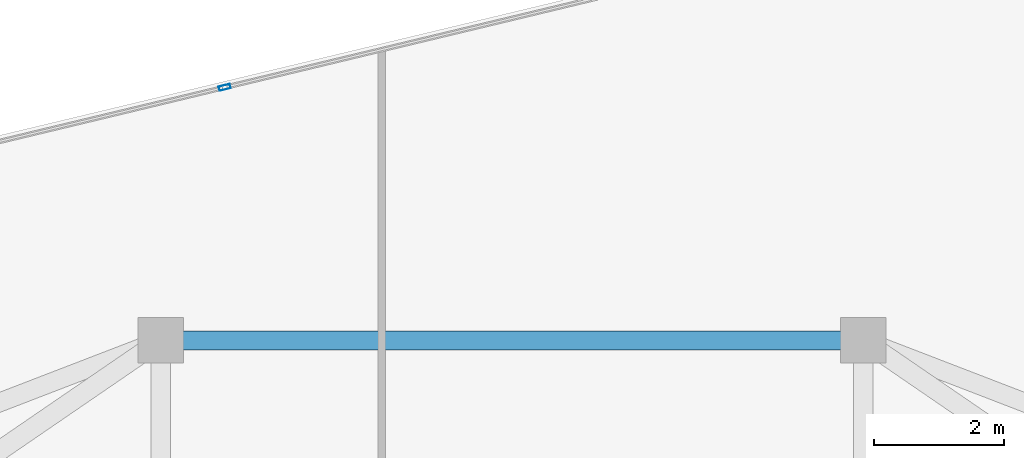
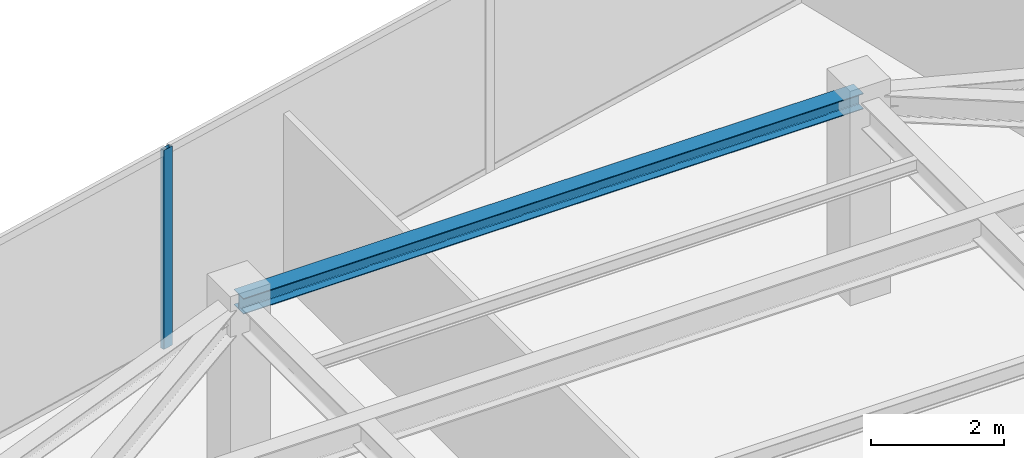
# One storey, part 14 of 22: 1 beam, 1 member, 1 element without a shape of its own.
"""IFC4 building model written with IfcOpenShell, lengths in metres."""

from ifc_helpers import new_model, si_unit, direction, frame, origin, origin_2d, place, context, subcontext, project, spatial, hollow_rectangle, i_section, extrude, source, transform, mapped, material, material_profile, profile_set, type_object, type_shapes, element, aggregate, save


model = new_model("IFC4")

# Units and contexts
model_context = context("Model", 3, precision=1e-05, world=origin(), true_north=direction((0.0, 1.0)))
body_context = subcontext(model_context, "Body", "Model", "MODEL_VIEW")
ifc_project = project(units=[si_unit("LENGTHUNIT", "METRE"), si_unit("AREAUNIT", "SQUARE_METRE"), si_unit("VOLUMEUNIT", "CUBIC_METRE"), si_unit("PLANEANGLEUNIT", "RADIAN"), si_unit("MASSUNIT", "GRAM", prefix="KILO")], contexts=[model_context])

# Site, building, storey
site_placement = place(None, origin())
site = spatial("IfcSite", under=ifc_project, at=site_placement, CompositionType="ELEMENT")
building_placement = place(site_placement, origin())
building = spatial("IfcBuilding", under=site, at=building_placement, Name="Krantzveldt Concourse Tower", CompositionType="ELEMENT")
storey_placement = place(building_placement, frame((0.0, 0.0, 355.35009765625)))
storey = spatial("IfcBuildingStorey", under=building, at=storey_placement, Name="L87", CompositionType="ELEMENT", Elevation=355.35009765625)

# Beam
ifc_material_1 = material(Name="Steel S355JR", Category="steel")
ifc_material_profile_1 = material_profile(ifc_material_1, i_section(OverallWidth=0.2900390625, OverallDepth=0.2900390625, WebThickness=0.008544921875, FlangeThickness=0.013916015625, FilletRadius=0.027099609375, at=origin_2d()), Name="Steel S355JR", Category="steel")
ifc_profile_set_1 = profile_set([ifc_material_profile_1], Name="Steel S355JR - HEA 300")
beam_type = type_object("IfcBeamType", Name="BM-SP-HEA300", PredefinedType="SPANDREL", material=ifc_profile_set_1)
shared_shape_1 = source(origin(), body_context, "Body", "SweptSolid", [
    extrude(i_section(OverallWidth=0.2900390625, OverallDepth=0.2900390625, WebThickness=0.008544921875, FlangeThickness=0.013916015625, FilletRadius=0.027099609375, at=origin_2d()), origin(), (0.0, 0.0, 1.0), 10.7998046875),
])
type_shapes(beam_type, [shared_shape_1])
beam_placement = place(storey_placement, frame((30.60009765625, 41.199951171875, 3.52490234375), z_axis=(1.0, 0.0, 0.0), x_axis=(0.0, 1.0, 0.0)))
element("IfcBeam", 1, at=beam_placement, inside=storey, type_object=beam_type, Name="L87 Tower Girder SP-R04", PredefinedType="SPANDREL", context=body_context, shape_type="MappedRepresentation", body=[
    mapped(shared_shape_1, transform((0.0, 0.0, 0.0), x_axis=(1.0, 0.0, 0.0), y_axis=(0.0, 1.0, 0.0), z_axis=(0.0, 0.0, 1.0), scale=1.0)),
])

# Curtain wall, member
ifc_material_2 = material(Name="Anodised aluminium 6063-T6", Category="aluminium")
curtain_wall_type = type_object("IfcCurtainWallType", Name="CW4", PredefinedType="USERDEFINED", material=ifc_material_2)
curtain_wall_placement = place(storey_placement, origin())
curtain_wall = element("IfcCurtainWall", 2, at=curtain_wall_placement, inside=storey, type_object=curtain_wall_type, Name="CW-L87-F01", ObjectType="UNITISED CURTAIN WALL", PredefinedType="USERDEFINED")
ifc_material_profile_2 = material_profile(ifc_material_2, hollow_rectangle(XDim=0.070068359375, YDim=0.179931640625, WallThickness=0.0048828125, at=origin_2d()), Name="Anodised aluminium 6063-T6", Category="aluminium")
ifc_profile_set_2 = profile_set([ifc_material_profile_2], Name="Anodised aluminium 6063-T6 - ALU-MULL 180x70x5")
member_type = type_object("IfcMemberType", Name="CW-MUL-180", PredefinedType="MULLION", material=ifc_profile_set_2)
shared_shape_2 = source(origin(), body_context, "Body", "SweptSolid", [
    extrude(hollow_rectangle(XDim=0.070068359375, YDim=0.179931640625, WallThickness=0.0048828125, at=origin_2d()), origin(), (0.0, 0.0, 1.0), 3.669921875),
])
type_shapes(member_type, [shared_shape_2])
member_placement = place(storey_placement, frame((31.58544921875, 45.08740234375, 0.0), z_axis=(0.0, 0.0, 1.0), x_axis=(0.233445461796, -0.972369896884, 0.0)))
member = element("IfcMember", 3, at=member_placement, type_object=member_type, Name="CW-Z56 mullion 3", PredefinedType="MULLION", context=body_context, shape_type="MappedRepresentation", body=[
    mapped(shared_shape_2, transform((0.0, 0.0, 0.0), x_axis=(1.0, 0.0, 0.0), y_axis=(0.0, 1.0, 0.0), z_axis=(0.0, 0.0, 1.0), scale=1.0)),
])
aggregate(curtain_wall, [member])

save(model, "model.ifc")
